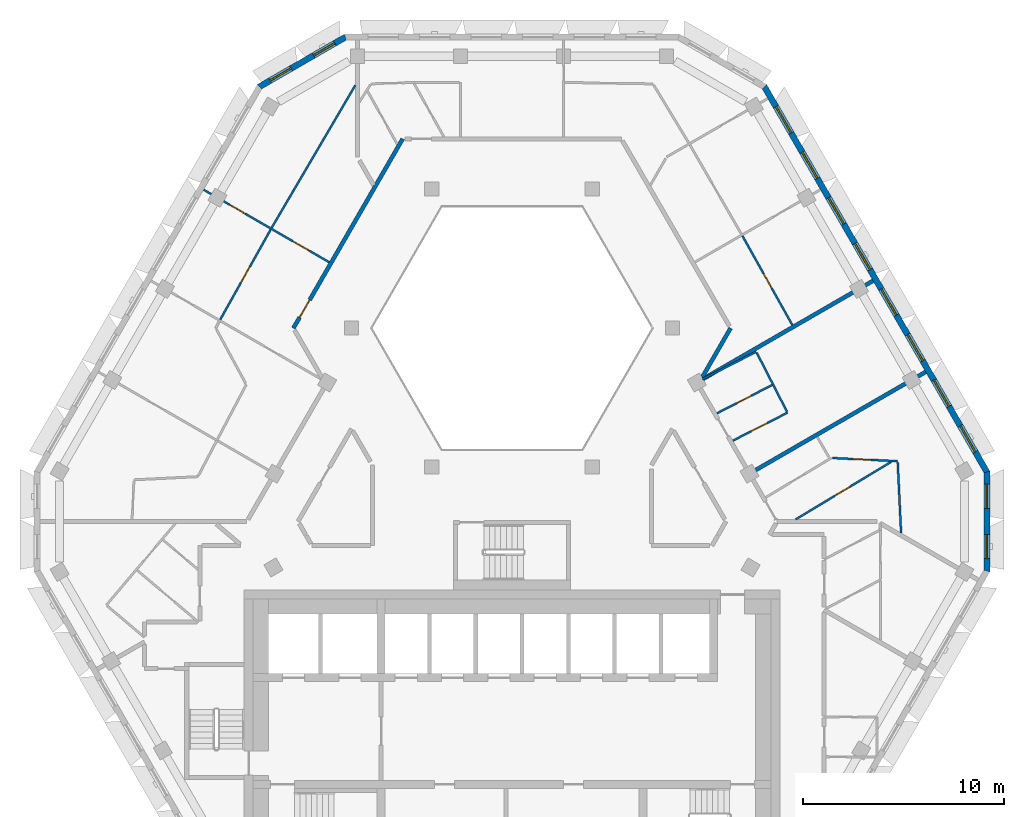
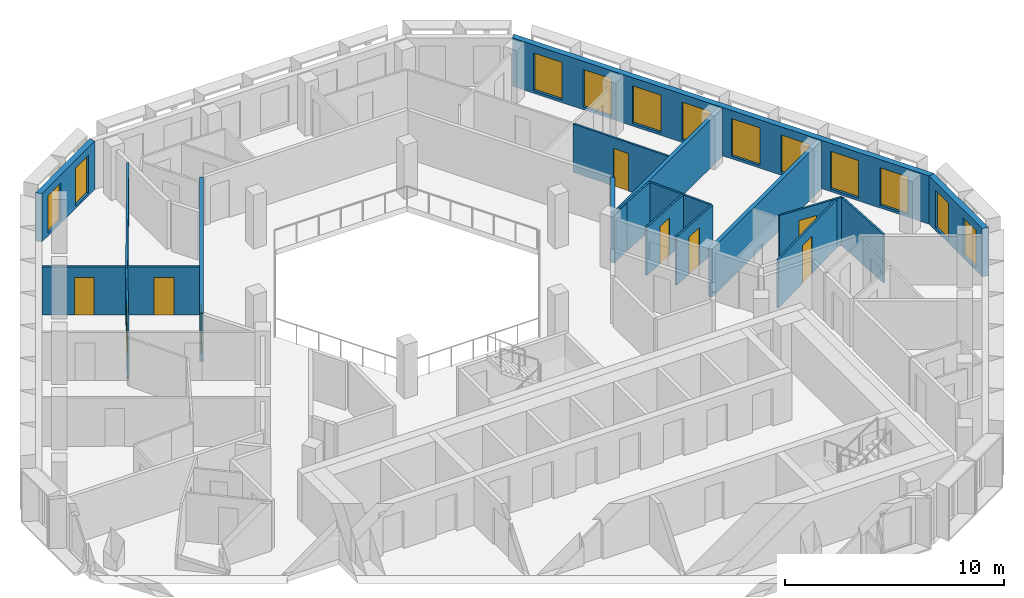
# One storey, part 7 of 16: 18 walls, 12 windows, 9 doors, 21 openings.
"""IFC4 building model written with IfcOpenShell, lengths in metres."""

from ifc_helpers import new_model, si_unit, direction, frame, frame_2d, origin, place, context, subcontext, project, spatial, polyline, rectangle, outline, extrude, material, layer, layer_set, type_object, element, fill, save


model = new_model("IFC4")

# Units and contexts
model_context = context("Model", 3, precision=1e-05, world=origin(), true_north=direction((0.0, 1.0)))
body_context = subcontext(model_context, "Body", "Model", "MODEL_VIEW")
ifc_project = project(units=[si_unit("LENGTHUNIT", "METRE"), si_unit("AREAUNIT", "SQUARE_METRE"), si_unit("VOLUMEUNIT", "CUBIC_METRE"), si_unit("PLANEANGLEUNIT", "RADIAN"), si_unit("MASSUNIT", "GRAM", prefix="KILO")], contexts=[model_context])

# Site, building, storey
site_placement = place(None, origin())
site = spatial("IfcSite", under=ifc_project, at=site_placement, CompositionType="ELEMENT")
building_placement = place(site_placement, origin())
building = spatial("IfcBuilding", under=site, at=building_placement, Name="Beryl Residences", CompositionType="ELEMENT")
storey_placement = place(building_placement, frame((0.0, 0.0, 238.800048828125)))
storey = spatial("IfcBuildingStorey", under=building, at=storey_placement, Name="L74", CompositionType="ELEMENT", Elevation=238.800048828125)

# Wall, openings, windows
ifc_material_1 = material(Name="Composite metal panel with mineral wool insulation")
ifc_layer_1 = layer(ifc_material_1, 0.300048828125)
ifc_layer_set_1 = layer_set([ifc_layer_1], Name="ES1 pale metal composite panel wall 300 mm")
wall_type_1 = type_object("IfcWallType", Name="ES1 pale metal composite panel wall 300 mm", PredefinedType="SOLIDWALL", material=ifc_layer_set_1)
wall_1_placement = place(storey_placement, frame((-8.239013671875, 22.469970703125, 0.0), z_axis=(0.0, 0.0, 1.0), x_axis=(-0.866022959057, -0.500004234368, 0.0)))
wall_1 = element("IfcWall", 1, at=wall_1_placement, inside=storey, type_object=wall_type_1, Name="ES1 external wall L74 N-NW", PredefinedType="SOLIDWALL", context=body_context, shape_type="SweptSolid", body=[
    extrude(outline(polyline([(0.0, -0.14990234375), (5.0, -0.14990234375), (4.919677734375, 0.14990234375), (0.080322265625, 0.14990234375), (0.0, -0.14990234375)])), origin(), (0.0, 0.0, 1.0), 2.699951171875),
])
opening_1_placement = place(wall_1_placement, frame((0.64990234375, 0.0, 0.14990234375)))
opening_1 = element("IfcOpeningElement", 2, at=opening_1_placement, cuts=wall_1, Name="Opening W2", PredefinedType="OPENING", context=body_context, shape_type="SweptSolid", body=[
    extrude(rectangle(XDim=1.199951171875, YDim=2.10009765625, at=frame_2d((0.60009765625, 1.050048828125))), frame((0.0, 0.159912109375, 0.0), z_axis=(0.0, -1.0, 0.0), x_axis=(1.0, 0.0, 0.0)), (0.0, 0.0, 1.0), 0.320068359375),
])
opening_2_placement = place(wall_1_placement, frame((3.14892578125, 0.0, 0.14990234375)))
opening_2 = element("IfcOpeningElement", 3, at=opening_2_placement, cuts=wall_1, Name="Opening W2", PredefinedType="OPENING", context=body_context, shape_type="SweptSolid", body=[
    extrude(rectangle(XDim=1.199951171875, YDim=2.10009765625, at=frame_2d((0.60009765625, 1.050048828125))), frame((0.0, 0.159912109375, 0.0), z_axis=(0.0, -1.0, 0.0), x_axis=(1.0, 0.0, 0.0)), (0.0, 0.0, 1.0), 0.320068359375),
])
ifc_material_2 = material(Name="Aluminium and clear glass", Category="aluminium")
window_type_1 = type_object("IfcWindowType", Name="W2 chamfer window 1200 x 2100 mm", PartitioningType="SINGLE_PANEL", PredefinedType="WINDOW", material=ifc_material_2)
window_1_placement = place(opening_1_placement, origin())
window_1 = element("IfcWindow", 4, at=window_1_placement, inside=storey, type_object=window_type_1, Name="W2 window L74 N-NW 1", OverallHeight=2.10009765625, OverallWidth=1.199951171875, PartitioningType="SINGLE_PANEL", PredefinedType="WINDOW", context=body_context, shape_type="SweptSolid", body=[
    extrude(rectangle(XDim=1.199951171875, YDim=2.10009765625, at=frame_2d((0.60009765625, 1.050048828125))), frame((0.0, 0.030029296875, 0.0), z_axis=(0.0, -1.0, 0.0), x_axis=(1.0, 0.0, 0.0)), (0.0, 0.0, 1.0), 0.06005859375),
])
fill(opening_1, window_1)
window_2_placement = place(opening_2_placement, origin())
window_2 = element("IfcWindow", 5, at=window_2_placement, inside=storey, type_object=window_type_1, Name="W2 window L74 N-NW 2", OverallHeight=2.10009765625, OverallWidth=1.199951171875, PartitioningType="SINGLE_PANEL", PredefinedType="WINDOW", context=body_context, shape_type="SweptSolid", body=[
    extrude(rectangle(XDim=1.199951171875, YDim=2.10009765625, at=frame_2d((0.60009765625, 1.050048828125))), frame((0.0, 0.030029296875, 0.0), z_axis=(0.0, -1.0, 0.0), x_axis=(1.0, 0.0, 0.0)), (0.0, 0.0, 1.0), 0.06005859375),
])
fill(opening_2, window_2)

wall_2_placement = place(storey_placement, frame((23.5791015625, -4.10009765625, 0.0), z_axis=(0.0, 0.0, 1.0), x_axis=(0.0, 1.0, 0.0)))
wall_2 = element("IfcWall", 6, at=wall_2_placement, inside=storey, type_object=wall_type_1, Name="ES1 external wall L74 SE-NE", PredefinedType="SOLIDWALL", context=body_context, shape_type="SweptSolid", body=[
    extrude(outline(polyline([(0.0, -0.14990234375), (5.0, -0.14990234375), (4.919677734375, 0.14990234375), (0.080322265625, 0.14990234375), (0.0, -0.14990234375)])), origin(), (0.0, 0.0, 1.0), 2.699951171875),
])
opening_3_placement = place(wall_2_placement, frame((0.64990234375, 0.0, 0.14990234375)))
opening_3 = element("IfcOpeningElement", 7, at=opening_3_placement, cuts=wall_2, Name="Opening W2", PredefinedType="OPENING", context=body_context, shape_type="SweptSolid", body=[
    extrude(rectangle(XDim=1.199951171875, YDim=2.10009765625, at=frame_2d((0.60009765625, 1.050048828125))), frame((0.0, 0.159912109375, 0.0), z_axis=(0.0, -1.0, 0.0), x_axis=(1.0, 0.0, 0.0)), (0.0, 0.0, 1.0), 0.320068359375),
])
opening_4_placement = place(wall_2_placement, frame((3.14990234375, 0.0, 0.14990234375)))
opening_4 = element("IfcOpeningElement", 8, at=opening_4_placement, cuts=wall_2, Name="Opening W2", PredefinedType="OPENING", context=body_context, shape_type="SweptSolid", body=[
    extrude(rectangle(XDim=1.199951171875, YDim=2.10009765625, at=frame_2d((0.60009765625, 1.050048828125))), frame((0.0, 0.159912109375, 0.0), z_axis=(0.0, -1.0, 0.0), x_axis=(1.0, 0.0, 0.0)), (0.0, 0.0, 1.0), 0.320068359375),
])
window_3_placement = place(opening_3_placement, origin())
window_3 = element("IfcWindow", 9, at=window_3_placement, inside=storey, type_object=window_type_1, Name="W2 window L74 SE-NE 1", OverallHeight=2.10009765625, OverallWidth=1.199951171875, PartitioningType="SINGLE_PANEL", PredefinedType="WINDOW", context=body_context, shape_type="SweptSolid", body=[
    extrude(rectangle(XDim=1.199951171875, YDim=2.10009765625, at=frame_2d((0.60009765625, 1.050048828125))), frame((0.0, 0.030029296875, 0.0), z_axis=(0.0, -1.0, 0.0), x_axis=(1.0, 0.0, 0.0)), (0.0, 0.0, 1.0), 0.06005859375),
])
fill(opening_3, window_3)
window_4_placement = place(opening_4_placement, origin())
window_4 = element("IfcWindow", 10, at=window_4_placement, inside=storey, type_object=window_type_1, Name="W2 window L74 SE-NE 2", OverallHeight=2.10009765625, OverallWidth=1.199951171875, PartitioningType="SINGLE_PANEL", PredefinedType="WINDOW", context=body_context, shape_type="SweptSolid", body=[
    extrude(rectangle(XDim=1.199951171875, YDim=2.10009765625, at=frame_2d((0.60009765625, 1.050048828125))), frame((0.0, 0.030029296875, 0.0), z_axis=(0.0, -1.0, 0.0), x_axis=(1.0, 0.0, 0.0)), (0.0, 0.0, 1.0), 0.06005859375),
])
fill(opening_4, window_4)

wall_3_placement = place(storey_placement, frame((23.59912109375, 0.824951171875, 0.0), z_axis=(0.0, 0.0, 1.0), x_axis=(-0.500003656944, 0.866023292436, 0.0)))
wall_3 = element("IfcWall", 11, at=wall_3_placement, inside=storey, type_object=wall_type_1, Name="ES1 external wall L74 NE", PredefinedType="SOLIDWALL", context=body_context, shape_type="SweptSolid", body=[
    extrude(outline(polyline([(0.0, -0.14990234375), (22.170166015625, -0.14990234375), (22.08984375, 0.14990234375), (0.080322265625, 0.14990234375), (0.0, -0.14990234375)])), origin(), (0.0, 0.0, 1.0), 2.699951171875),
])
opening_5_placement = place(wall_3_placement, frame((1.19091796875, 0.0, 0.14990234375)))
opening_5 = element("IfcOpeningElement", 12, at=opening_5_placement, cuts=wall_3, Name="Opening W1", PredefinedType="OPENING", context=body_context, shape_type="SweptSolid", body=[
    extrude(rectangle(XDim=1.5, YDim=2.10009765625, at=frame_2d((0.75, 1.050048828125))), frame((0.0, 0.159912109375, 0.0), z_axis=(0.0, -1.0, 0.0), x_axis=(1.0, 0.0, 0.0)), (0.0, 0.0, 1.0), 0.320068359375),
])
opening_6_placement = place(wall_3_placement, frame((3.803955078125, 0.0, 0.14990234375)))
opening_6 = element("IfcOpeningElement", 13, at=opening_6_placement, cuts=wall_3, Name="Opening W1", PredefinedType="OPENING", context=body_context, shape_type="SweptSolid", body=[
    extrude(rectangle(XDim=1.5, YDim=2.10009765625, at=frame_2d((0.75, 1.050048828125))), frame((0.0, 0.159912109375, 0.0), z_axis=(0.0, -1.0, 0.0), x_axis=(1.0, 0.0, 0.0)), (0.0, 0.0, 1.0), 0.320068359375),
])
opening_7_placement = place(wall_3_placement, frame((6.4169921875, 0.0, 0.14990234375)))
opening_7 = element("IfcOpeningElement", 14, at=opening_7_placement, cuts=wall_3, Name="Opening W1", PredefinedType="OPENING", context=body_context, shape_type="SweptSolid", body=[
    extrude(rectangle(XDim=1.5, YDim=2.10009765625, at=frame_2d((0.75, 1.050048828125))), frame((0.0, 0.159912109375, 0.0), z_axis=(0.0, -1.0, 0.0), x_axis=(1.0, 0.0, 0.0)), (0.0, 0.0, 1.0), 0.320068359375),
])
opening_8_placement = place(wall_3_placement, frame((9.029052734375, 0.0, 0.14990234375)))
opening_8 = element("IfcOpeningElement", 15, at=opening_8_placement, cuts=wall_3, Name="Opening W1", PredefinedType="OPENING", context=body_context, shape_type="SweptSolid", body=[
    extrude(rectangle(XDim=1.5, YDim=2.10009765625, at=frame_2d((0.75, 1.050048828125))), frame((0.0, 0.159912109375, 0.0), z_axis=(0.0, -1.0, 0.0), x_axis=(1.0, 0.0, 0.0)), (0.0, 0.0, 1.0), 0.320068359375),
])
opening_9_placement = place(wall_3_placement, frame((11.64111328125, 0.0, 0.14990234375)))
opening_9 = element("IfcOpeningElement", 16, at=opening_9_placement, cuts=wall_3, Name="Opening W1", PredefinedType="OPENING", context=body_context, shape_type="SweptSolid", body=[
    extrude(rectangle(XDim=1.5, YDim=2.10009765625, at=frame_2d((0.75, 1.050048828125))), frame((0.0, 0.159912109375, 0.0), z_axis=(0.0, -1.0, 0.0), x_axis=(1.0, 0.0, 0.0)), (0.0, 0.0, 1.0), 0.320068359375),
])
opening_10_placement = place(wall_3_placement, frame((14.25390625, 0.0, 0.14990234375)))
opening_10 = element("IfcOpeningElement", 17, at=opening_10_placement, cuts=wall_3, Name="Opening W1", PredefinedType="OPENING", context=body_context, shape_type="SweptSolid", body=[
    extrude(rectangle(XDim=1.5, YDim=2.10009765625, at=frame_2d((0.75, 1.050048828125))), frame((0.0, 0.159912109375, 0.0), z_axis=(0.0, -1.0, 0.0), x_axis=(1.0, 0.0, 0.0)), (0.0, 0.0, 1.0), 0.320068359375),
])
opening_11_placement = place(wall_3_placement, frame((16.865966796875, 0.0, 0.14990234375)))
opening_11 = element("IfcOpeningElement", 18, at=opening_11_placement, cuts=wall_3, Name="Opening W1", PredefinedType="OPENING", context=body_context, shape_type="SweptSolid", body=[
    extrude(rectangle(XDim=1.5, YDim=2.10009765625, at=frame_2d((0.75, 1.050048828125))), frame((0.0, 0.159912109375, 0.0), z_axis=(0.0, -1.0, 0.0), x_axis=(1.0, 0.0, 0.0)), (0.0, 0.0, 1.0), 0.320068359375),
])
opening_12_placement = place(wall_3_placement, frame((19.47900390625, 0.0, 0.14990234375)))
opening_12 = element("IfcOpeningElement", 19, at=opening_12_placement, cuts=wall_3, Name="Opening W1", PredefinedType="OPENING", context=body_context, shape_type="SweptSolid", body=[
    extrude(rectangle(XDim=1.5, YDim=2.10009765625, at=frame_2d((0.75, 1.050048828125))), frame((0.0, 0.159912109375, 0.0), z_axis=(0.0, -1.0, 0.0), x_axis=(1.0, 0.0, 0.0)), (0.0, 0.0, 1.0), 0.320068359375),
])
ifc_material_3 = material(Name="Aluminium and clear glass", Category="aluminium")
window_type_2 = type_object("IfcWindowType", Name="W1 cell window 1500 x 2100 mm", PartitioningType="SINGLE_PANEL", PredefinedType="WINDOW", material=ifc_material_3)
window_5_placement = place(opening_5_placement, origin())
window_5 = element("IfcWindow", 20, at=window_5_placement, inside=storey, type_object=window_type_2, Name="W1 window L74 NE 1", OverallHeight=2.10009765625, OverallWidth=1.5, PartitioningType="SINGLE_PANEL", PredefinedType="WINDOW", context=body_context, shape_type="SweptSolid", body=[
    extrude(rectangle(XDim=1.5, YDim=2.10009765625, at=frame_2d((0.75, 1.050048828125))), frame((0.0, 0.030029296875, 0.0), z_axis=(0.0, -1.0, 0.0), x_axis=(1.0, 0.0, 0.0)), (0.0, 0.0, 1.0), 0.06005859375),
])
fill(opening_5, window_5)
window_6_placement = place(opening_6_placement, origin())
window_6 = element("IfcWindow", 21, at=window_6_placement, inside=storey, type_object=window_type_2, Name="W1 window L74 NE 2", OverallHeight=2.10009765625, OverallWidth=1.5, PartitioningType="SINGLE_PANEL", PredefinedType="WINDOW", context=body_context, shape_type="SweptSolid", body=[
    extrude(rectangle(XDim=1.5, YDim=2.10009765625, at=frame_2d((0.75, 1.050048828125))), frame((0.0, 0.030029296875, 0.0), z_axis=(0.0, -1.0, 0.0), x_axis=(1.0, 0.0, 0.0)), (0.0, 0.0, 1.0), 0.06005859375),
])
fill(opening_6, window_6)
window_7_placement = place(opening_7_placement, origin())
window_7 = element("IfcWindow", 22, at=window_7_placement, inside=storey, type_object=window_type_2, Name="W1 window L74 NE 3", OverallHeight=2.10009765625, OverallWidth=1.5, PartitioningType="SINGLE_PANEL", PredefinedType="WINDOW", context=body_context, shape_type="SweptSolid", body=[
    extrude(rectangle(XDim=1.5, YDim=2.10009765625, at=frame_2d((0.75, 1.050048828125))), frame((0.0, 0.030029296875, 0.0), z_axis=(0.0, -1.0, 0.0), x_axis=(1.0, 0.0, 0.0)), (0.0, 0.0, 1.0), 0.06005859375),
])
fill(opening_7, window_7)
window_8_placement = place(opening_8_placement, origin())
window_8 = element("IfcWindow", 23, at=window_8_placement, inside=storey, type_object=window_type_2, Name="W1 window L74 NE 4", OverallHeight=2.10009765625, OverallWidth=1.5, PartitioningType="SINGLE_PANEL", PredefinedType="WINDOW", context=body_context, shape_type="SweptSolid", body=[
    extrude(rectangle(XDim=1.5, YDim=2.10009765625, at=frame_2d((0.75, 1.050048828125))), frame((0.0, 0.030029296875, 0.0), z_axis=(0.0, -1.0, 0.0), x_axis=(1.0, 0.0, 0.0)), (0.0, 0.0, 1.0), 0.06005859375),
])
fill(opening_8, window_8)
window_9_placement = place(opening_9_placement, origin())
window_9 = element("IfcWindow", 24, at=window_9_placement, inside=storey, type_object=window_type_2, Name="W1 window L74 NE 5", OverallHeight=2.10009765625, OverallWidth=1.5, PartitioningType="SINGLE_PANEL", PredefinedType="WINDOW", context=body_context, shape_type="SweptSolid", body=[
    extrude(rectangle(XDim=1.5, YDim=2.10009765625, at=frame_2d((0.75, 1.050048828125))), frame((0.0, 0.030029296875, 0.0), z_axis=(0.0, -1.0, 0.0), x_axis=(1.0, 0.0, 0.0)), (0.0, 0.0, 1.0), 0.06005859375),
])
fill(opening_9, window_9)
window_10_placement = place(opening_10_placement, origin())
window_10 = element("IfcWindow", 25, at=window_10_placement, inside=storey, type_object=window_type_2, Name="W1 window L74 NE 6", OverallHeight=2.10009765625, OverallWidth=1.5, PartitioningType="SINGLE_PANEL", PredefinedType="WINDOW", context=body_context, shape_type="SweptSolid", body=[
    extrude(rectangle(XDim=1.5, YDim=2.10009765625, at=frame_2d((0.75, 1.050048828125))), frame((0.0, 0.030029296875, 0.0), z_axis=(0.0, -1.0, 0.0), x_axis=(1.0, 0.0, 0.0)), (0.0, 0.0, 1.0), 0.06005859375),
])
fill(opening_10, window_10)
window_11_placement = place(opening_11_placement, origin())
window_11 = element("IfcWindow", 26, at=window_11_placement, inside=storey, type_object=window_type_2, Name="W1 window L74 NE 7", OverallHeight=2.10009765625, OverallWidth=1.5, PartitioningType="SINGLE_PANEL", PredefinedType="WINDOW", context=body_context, shape_type="SweptSolid", body=[
    extrude(rectangle(XDim=1.5, YDim=2.10009765625, at=frame_2d((0.75, 1.050048828125))), frame((0.0, 0.030029296875, 0.0), z_axis=(0.0, -1.0, 0.0), x_axis=(1.0, 0.0, 0.0)), (0.0, 0.0, 1.0), 0.06005859375),
])
fill(opening_11, window_11)
window_12_placement = place(opening_12_placement, origin())
window_12 = element("IfcWindow", 27, at=window_12_placement, inside=storey, type_object=window_type_2, Name="W1 window L74 NE 8", OverallHeight=2.10009765625, OverallWidth=1.5, PartitioningType="SINGLE_PANEL", PredefinedType="WINDOW", context=body_context, shape_type="SweptSolid", body=[
    extrude(rectangle(XDim=1.5, YDim=2.10009765625, at=frame_2d((0.75, 1.050048828125))), frame((0.0, 0.030029296875, 0.0), z_axis=(0.0, -1.0, 0.0), x_axis=(1.0, 0.0, 0.0)), (0.0, 0.0, 1.0), 0.06005859375),
])
fill(opening_12, window_12)

# Wall, opening, door
ifc_material_4 = material(Name="Gypsum board partition on steel studs", Category="steel")
ifc_layer_2 = layer(ifc_material_4, 0.10009765625)
ifc_layer_set_2 = layer_set([ifc_layer_2], Name="PT1 partition 100 mm gypsum board on steel studs")
wall_type_2 = type_object("IfcWallType", Name="PT1 partition 100 mm gypsum board on steel studs", PredefinedType="PARTITIONING", material=ifc_layer_set_2)
wall_4_placement = place(storey_placement, frame((11.44091796875, 12.58203125, 0.0), z_axis=(0.0, 0.0, 1.0), x_axis=(0.488568218554, -0.872525699231, 0.0)))
wall_4 = element("IfcWall", 28, at=wall_4_placement, inside=storey, type_object=wall_type_2, Name="Wall PT1 L74 006", PredefinedType="PARTITIONING", context=body_context, shape_type="SweptSolid", body=[
    extrude(rectangle(XDim=5.075927734375, YDim=0.10009765625, at=frame_2d((2.5380859375, 0.0))), origin(), (0.0, 0.0, 1.0), 2.699951171875),
])
opening_13_placement = place(wall_4_placement, frame((2.1630859375, 0.0, 0.0)))
opening_13 = element("IfcOpeningElement", 29, at=opening_13_placement, cuts=wall_4, Name="Opening D2010", PredefinedType="OPENING", context=body_context, shape_type="SweptSolid", body=[
    extrude(rectangle(XDim=0.800048828125, YDim=2.10009765625, at=frame_2d((0.39990234375, 1.050048828125))), frame((0.0, 0.06005859375, 0.0), z_axis=(0.0, -1.0, 0.0), x_axis=(1.0, 0.0, 0.0)), (0.0, 0.0, 1.0), 0.1201171875),
])
ifc_material_5 = material(Name="Timber door leaf", Category="wood")
door_type_1 = type_object("IfcDoorType", Name="D3 bathroom door 800 x 2100 mm", OperationType="SINGLE_SWING_LEFT", PredefinedType="DOOR", material=ifc_material_5)
door_1_placement = place(opening_13_placement, origin())
door_1 = element("IfcDoor", 30, at=door_1_placement, inside=storey, type_object=door_type_1, Name="Door D2010 L74 001", OperationType="SINGLE_SWING_RIGHT", OverallHeight=2.10009765625, OverallWidth=0.800048828125, PredefinedType="DOOR", context=body_context, shape_type="SweptSolid", body=[
    extrude(rectangle(XDim=0.800048828125, YDim=2.10009765625, at=frame_2d((0.39990234375, 1.050048828125))), frame((0.0, 0.02490234375, 0.0), z_axis=(0.0, -1.0, 0.0), x_axis=(1.0, 0.0, 0.0)), (0.0, 0.0, 1.0), 0.050048828125),
])
fill(opening_13, door_1)

# Walls
wall_5_placement = place(storey_placement, frame((12.14990234375, 6.783935546875, 0.0), z_axis=(0.0, 0.0, 1.0), x_axis=(0.456339188969, -0.889805902774, 0.0)))
element("IfcWall", 31, at=wall_5_placement, inside=storey, type_object=wall_type_2, Name="Wall PT1 L74 010", PredefinedType="PARTITIONING", context=body_context, shape_type="SweptSolid", body=[
    extrude(rectangle(XDim=3.29833984375, YDim=0.10009765625, at=frame_2d((1.649169921875, 0.0))), origin(), (0.0, 0.0, 1.0), 2.699951171875),
])
wall_6_placement = place(storey_placement, frame((19.15087890625, 1.343017578125, 0.0), z_axis=(0.0, 0.0, 1.0), x_axis=(0.047509130714, -0.998870803707, 0.0)))
element("IfcWall", 32, at=wall_6_placement, inside=storey, type_object=wall_type_2, Name="Wall PT1 L74 012", PredefinedType="PARTITIONING", context=body_context, shape_type="SweptSolid", body=[
    extrude(rectangle(XDim=3.52001953125, YDim=0.10009765625, at=frame_2d((1.760009765625, 0.0))), origin(), (0.0, 0.0, 1.0), 2.699951171875),
])

# Wall, opening, door
wall_7_placement = place(storey_placement, frame((15.908935546875, 1.552001953125, 0.0), z_axis=(0.0, 0.0, 1.0), x_axis=(0.998799003463, -0.048995414909, 0.0)))
wall_7 = element("IfcWall", 33, at=wall_7_placement, inside=storey, type_object=wall_type_2, Name="Wall PT1 L74 015", PredefinedType="PARTITIONING", context=body_context, shape_type="SweptSolid", body=[
    extrude(rectangle(XDim=3.243896484375, YDim=0.10009765625, at=frame_2d((1.6220703125, 0.0))), origin(), (0.0, 0.0, 1.0), 2.699951171875),
])
opening_14_placement = place(wall_7_placement, frame((1.012939453125, 0.0, 0.0)))
opening_14 = element("IfcOpeningElement", 34, at=opening_14_placement, cuts=wall_7, Name="Opening D2034", PredefinedType="OPENING", context=body_context, shape_type="SweptSolid", body=[
    extrude(rectangle(XDim=0.89990234375, YDim=2.10009765625, at=frame_2d((0.449951171875, 1.050048828125))), frame((0.0, 0.06005859375, 0.0), z_axis=(0.0, -1.0, 0.0), x_axis=(1.0, 0.0, 0.0)), (0.0, 0.0, 1.0), 0.1201171875),
])
ifc_material_6 = material(Name="Timber door leaf", Category="wood")
door_type_2 = type_object("IfcDoorType", Name="D2 room door 900 x 2100 mm", OperationType="SINGLE_SWING_LEFT", PredefinedType="DOOR", material=ifc_material_6)
door_2_placement = place(opening_14_placement, origin())
door_2 = element("IfcDoor", 35, at=door_2_placement, inside=storey, type_object=door_type_2, Name="Door D2034 L74 001", OperationType="SINGLE_SWING_RIGHT", OverallHeight=2.10009765625, OverallWidth=0.89990234375, PredefinedType="DOOR", context=body_context, shape_type="SweptSolid", body=[
    extrude(rectangle(XDim=0.89990234375, YDim=2.10009765625, at=frame_2d((0.449951171875, 1.050048828125))), frame((0.0, 0.02490234375, 0.0), z_axis=(0.0, -1.0, 0.0), x_axis=(1.0, 0.0, 0.0)), (0.0, 0.0, 1.0), 0.050048828125),
])
fill(opening_14, door_2)

# Wall, openings, doors
wall_8_placement = place(storey_placement, frame((-15.31396484375, 14.875, 0.0), z_axis=(0.0, 0.0, 1.0), x_axis=(0.866001485781, -0.500041424909, 0.0)))
wall_8 = element("IfcWall", 36, at=wall_8_placement, inside=storey, type_object=wall_type_2, Name="Wall PT1 L74 018", PredefinedType="PARTITIONING", context=body_context, shape_type="SweptSolid", body=[
    extrude(rectangle(XDim=7.19970703125, YDim=0.10009765625, at=frame_2d((3.599853515625, 0.0))), origin(), (0.0, 0.0, 1.0), 2.699951171875),
])
opening_15_placement = place(wall_8_placement, frame((5.136962890625, 0.0, 0.0)))
opening_15 = element("IfcOpeningElement", 37, at=opening_15_placement, cuts=wall_8, Name="Opening D2014", PredefinedType="OPENING", context=body_context, shape_type="SweptSolid", body=[
    extrude(rectangle(XDim=0.89990234375, YDim=2.10009765625, at=frame_2d((0.449951171875, 1.050048828125))), frame((0.0, 0.06005859375, 0.0), z_axis=(0.0, -1.0, 0.0), x_axis=(1.0, 0.0, 0.0)), (0.0, 0.0, 1.0), 0.1201171875),
])
opening_16_placement = place(wall_8_placement, frame((1.487060546875, 0.0, 0.0)))
opening_16 = element("IfcOpeningElement", 38, at=opening_16_placement, cuts=wall_8, Name="Opening D2016", PredefinedType="OPENING", context=body_context, shape_type="SweptSolid", body=[
    extrude(rectangle(XDim=0.89990234375, YDim=2.10009765625, at=frame_2d((0.449951171875, 1.050048828125))), frame((0.0, 0.06005859375, 0.0), z_axis=(0.0, -1.0, 0.0), x_axis=(1.0, 0.0, 0.0)), (0.0, 0.0, 1.0), 0.1201171875),
])
door_3_placement = place(opening_15_placement, origin())
door_3 = element("IfcDoor", 39, at=door_3_placement, inside=storey, type_object=door_type_2, Name="Door D2014 L74 001", OperationType="SINGLE_SWING_RIGHT", OverallHeight=2.10009765625, OverallWidth=0.89990234375, PredefinedType="DOOR", context=body_context, shape_type="SweptSolid", body=[
    extrude(rectangle(XDim=0.89990234375, YDim=2.10009765625, at=frame_2d((0.449951171875, 1.050048828125))), frame((0.0, 0.02490234375, 0.0), z_axis=(0.0, -1.0, 0.0), x_axis=(1.0, 0.0, 0.0)), (0.0, 0.0, 1.0), 0.050048828125),
])
fill(opening_15, door_3)
door_4_placement = place(opening_16_placement, origin())
door_4 = element("IfcDoor", 40, at=door_4_placement, inside=storey, type_object=door_type_2, Name="Door D2016 L74 001", OperationType="SINGLE_SWING_RIGHT", OverallHeight=2.10009765625, OverallWidth=0.89990234375, PredefinedType="DOOR", context=body_context, shape_type="SweptSolid", body=[
    extrude(rectangle(XDim=0.89990234375, YDim=2.10009765625, at=frame_2d((0.449951171875, 1.050048828125))), frame((0.0, 0.02490234375, 0.0), z_axis=(0.0, -1.0, 0.0), x_axis=(1.0, 0.0, 0.0)), (0.0, 0.0, 1.0), 0.050048828125),
])
fill(opening_16, door_4)

# Wall
wall_9_placement = place(storey_placement, frame((-11.93408203125, 12.98095703125, 0.0), z_axis=(0.0, 0.0, 1.0), x_axis=(0.506072703404, 0.862490822484, 0.0)))
element("IfcWall", 41, at=wall_9_placement, inside=storey, type_object=wall_type_2, Name="Wall PT1 L74 025", PredefinedType="PARTITIONING", context=body_context, shape_type="SweptSolid", body=[
    extrude(rectangle(XDim=8.212158203125, YDim=0.10009765625, at=frame_2d((4.10595703125, 0.0))), origin(), (0.0, 0.0, 1.0), 2.699951171875),
])

# Wall, opening, door
wall_10_placement = place(storey_placement, frame((-14.488037109375, 8.423095703125, 0.0), z_axis=(0.0, 0.0, 1.0), x_axis=(0.488810791055, 0.872389827169, 0.0)))
wall_10 = element("IfcWall", 42, at=wall_10_placement, inside=storey, type_object=wall_type_2, Name="Wall PT1 L74 028", PredefinedType="PARTITIONING", context=body_context, shape_type="SweptSolid", body=[
    extrude(rectangle(XDim=5.125, YDim=0.10009765625, at=frame_2d((2.5625, 0.0))), origin(), (0.0, 0.0, 1.0), 2.699951171875),
])
opening_17_placement = place(wall_10_placement, frame((2.113037109375, 0.0, 0.0)))
opening_17 = element("IfcOpeningElement", 43, at=opening_17_placement, cuts=wall_10, Name="Opening D2013", PredefinedType="OPENING", context=body_context, shape_type="SweptSolid", body=[
    extrude(rectangle(XDim=0.89990234375, YDim=2.10009765625, at=frame_2d((0.449951171875, 1.050048828125))), frame((0.0, 0.06005859375, 0.0), z_axis=(0.0, -1.0, 0.0), x_axis=(1.0, 0.0, 0.0)), (0.0, 0.0, 1.0), 0.1201171875),
])
door_5_placement = place(opening_17_placement, origin())
door_5 = element("IfcDoor", 44, at=door_5_placement, inside=storey, type_object=door_type_2, Name="Door D2013 L74 001", OperationType="SINGLE_SWING_LEFT", OverallHeight=2.10009765625, OverallWidth=0.89990234375, PredefinedType="DOOR", context=body_context, shape_type="SweptSolid", body=[
    extrude(rectangle(XDim=0.89990234375, YDim=2.10009765625, at=frame_2d((0.449951171875, 1.050048828125))), frame((0.0, 0.02490234375, 0.0), z_axis=(0.0, -1.0, 0.0), x_axis=(1.0, 0.0, 0.0)), (0.0, 0.0, 1.0), 0.050048828125),
])
fill(opening_17, door_5)

wall_11_placement = place(storey_placement, frame((10.177978515625, 3.77197265625, 0.0), z_axis=(0.0, 0.0, 1.0), x_axis=(0.889829844516, 0.456292502467, 0.0)))
wall_11 = element("IfcWall", 45, at=wall_11_placement, inside=storey, type_object=wall_type_2, Name="Wall PT1 L74 036", PredefinedType="PARTITIONING", context=body_context, shape_type="SweptSolid", body=[
    extrude(rectangle(XDim=3.079345703125, YDim=0.10009765625, at=frame_2d((1.53955078125, 0.0))), origin(), (0.0, 0.0, 1.0), 2.699951171875),
])
opening_18_placement = place(wall_11_placement, frame((1.114990234375, 0.0, 0.0)))
opening_18 = element("IfcOpeningElement", 46, at=opening_18_placement, cuts=wall_11, Name="Opening D2037", PredefinedType="OPENING", context=body_context, shape_type="SweptSolid", body=[
    extrude(rectangle(XDim=0.800048828125, YDim=2.10009765625, at=frame_2d((0.39990234375, 1.050048828125))), frame((0.0, 0.06005859375, 0.0), z_axis=(0.0, -1.0, 0.0), x_axis=(1.0, 0.0, 0.0)), (0.0, 0.0, 1.0), 0.1201171875),
])
door_6_placement = place(opening_18_placement, origin())
door_6 = element("IfcDoor", 47, at=door_6_placement, inside=storey, type_object=door_type_1, Name="Door D2037 L74 001", OperationType="SINGLE_SWING_LEFT", OverallHeight=2.10009765625, OverallWidth=0.800048828125, PredefinedType="DOOR", context=body_context, shape_type="SweptSolid", body=[
    extrude(rectangle(XDim=0.800048828125, YDim=2.10009765625, at=frame_2d((0.39990234375, 1.050048828125))), frame((0.0, 0.02490234375, 0.0), z_axis=(0.0, -1.0, 0.0), x_axis=(1.0, 0.0, 0.0)), (0.0, 0.0, 1.0), 0.050048828125),
])
fill(opening_18, door_6)

wall_12_placement = place(storey_placement, frame((10.962890625, 2.412109375, 0.0), z_axis=(0.0, 0.0, 1.0), x_axis=(0.890014850977, 0.455931535475, 0.0)))
wall_12 = element("IfcWall", 48, at=wall_12_placement, inside=storey, type_object=wall_type_2, Name="Wall PT1 L74 037", PredefinedType="PARTITIONING", context=body_context, shape_type="SweptSolid", body=[
    extrude(rectangle(XDim=3.050537109375, YDim=0.10009765625, at=frame_2d((1.525390625, 0.0))), origin(), (0.0, 0.0, 1.0), 2.699951171875),
])
opening_19_placement = place(wall_12_placement, frame((1.02587890625, 0.0, 0.0)))
opening_19 = element("IfcOpeningElement", 49, at=opening_19_placement, cuts=wall_12, Name="Opening D2036", PredefinedType="OPENING", context=body_context, shape_type="SweptSolid", body=[
    extrude(rectangle(XDim=0.89990234375, YDim=2.10009765625, at=frame_2d((0.449951171875, 1.050048828125))), frame((0.0, 0.06005859375, 0.0), z_axis=(0.0, -1.0, 0.0), x_axis=(1.0, 0.0, 0.0)), (0.0, 0.0, 1.0), 0.1201171875),
])
door_7_placement = place(opening_19_placement, origin())
door_7 = element("IfcDoor", 50, at=door_7_placement, inside=storey, type_object=door_type_2, Name="Door D2036 L74 001", OperationType="SINGLE_SWING_RIGHT", OverallHeight=2.10009765625, OverallWidth=0.89990234375, PredefinedType="DOOR", context=body_context, shape_type="SweptSolid", body=[
    extrude(rectangle(XDim=0.89990234375, YDim=2.10009765625, at=frame_2d((0.449951171875, 1.050048828125))), frame((0.0, 0.02490234375, 0.0), z_axis=(0.0, -1.0, 0.0), x_axis=(1.0, 0.0, 0.0)), (0.0, 0.0, 1.0), 0.050048828125),
])
fill(opening_19, door_7)

# Wall
wall_13_placement = place(storey_placement, frame((9.45703125, 5.4609375, 0.0), z_axis=(0.0, 0.0, 1.0), x_axis=(0.889888641814, 0.456177821874, 0.0)))
element("IfcWall", 51, at=wall_13_placement, inside=storey, type_object=wall_type_2, Name="Wall PT1 L74 038", PredefinedType="PARTITIONING", context=body_context, shape_type="SweptSolid", body=[
    extrude(rectangle(XDim=2.999267578125, YDim=0.10009765625, at=frame_2d((1.49951171875, 0.0))), origin(), (0.0, 0.0, 1.0), 2.699951171875),
])

# Wall, opening, door
wall_14_placement = place(storey_placement, frame((14.0810546875, -1.4990234375, 0.0), z_axis=(0.0, 0.0, 1.0), x_axis=(0.85652273816, 0.516109289798, 0.0)))
wall_14 = element("IfcWall", 52, at=wall_14_placement, inside=storey, type_object=wall_type_2, Name="Wall PT1 L74 046", PredefinedType="PARTITIONING", context=body_context, shape_type="SweptSolid", body=[
    extrude(rectangle(XDim=5.537353515625, YDim=0.10009765625, at=frame_2d((2.7685546875, 0.0))), origin(), (0.0, 0.0, 1.0), 2.699951171875),
])
opening_20_placement = place(wall_14_placement, frame((2.26708984375, 0.0, 0.0)))
opening_20 = element("IfcOpeningElement", 53, at=opening_20_placement, cuts=wall_14, Name="Opening D2032", PredefinedType="OPENING", context=body_context, shape_type="SweptSolid", body=[
    extrude(rectangle(XDim=0.89990234375, YDim=2.10009765625, at=frame_2d((0.449951171875, 1.050048828125))), frame((0.0, 0.06005859375, 0.0), z_axis=(0.0, -1.0, 0.0), x_axis=(1.0, 0.0, 0.0)), (0.0, 0.0, 1.0), 0.1201171875),
])
door_8_placement = place(opening_20_placement, origin())
door_8 = element("IfcDoor", 54, at=door_8_placement, inside=storey, type_object=door_type_2, Name="Door D2032 L74 001", OperationType="SINGLE_SWING_RIGHT", OverallHeight=2.10009765625, OverallWidth=0.89990234375, PredefinedType="DOOR", context=body_context, shape_type="SweptSolid", body=[
    extrude(rectangle(XDim=0.89990234375, YDim=2.10009765625, at=frame_2d((0.449951171875, 1.050048828125))), frame((0.0, 0.02490234375, 0.0), z_axis=(0.0, -1.0, 0.0), x_axis=(1.0, 0.0, 0.0)), (0.0, 0.0, 1.0), 0.050048828125),
])
fill(opening_20, door_8)

# Walls
ifc_material_7 = material(Name="Acoustic double stud gypsum board wall")
ifc_layer_3 = layer(ifc_material_7, 0.199951171875)
ifc_layer_set_3 = layer_set([ifc_layer_3], Name="PT3 party wall 200 mm acoustic double stud")
wall_type_3 = type_object("IfcWallType", Name="PT3 party wall 200 mm acoustic double stud", PredefinedType="PARTITIONING", material=ifc_layer_set_3)
wall_15_placement = place(storey_placement, frame((11.87890625, 0.825927734375, 0.0), z_axis=(0.0, 0.0, 1.0), x_axis=(0.866065245018, 0.499930986609, 0.0)))
element("IfcWall", 55, at=wall_15_placement, inside=storey, type_object=wall_type_3, Name="Wall PT3 L74 010", PredefinedType="PARTITIONING", context=body_context, shape_type="SweptSolid", body=[
    extrude(rectangle(XDim=9.99951171875, YDim=0.199951171875, at=frame_2d((4.999755859375, 0.0))), origin(), (0.0, 0.0, 1.0), 2.699951171875),
])
wall_16_placement = place(storey_placement, frame((9.35400390625, 5.40087890625, 0.0), z_axis=(0.0, 0.0, 1.0), x_axis=(0.866018411306, 0.500012111133, 0.0)))
element("IfcWall", 56, at=wall_16_placement, inside=storey, type_object=wall_type_3, Name="Wall PT3 L74 011", PredefinedType="PARTITIONING", context=body_context, shape_type="SweptSolid", body=[
    extrude(rectangle(XDim=9.898193359375, YDim=0.199951171875, at=frame_2d((4.94921875, 0.0))), origin(), (0.0, 0.0, 1.0), 2.699951171875),
])
ifc_material_8 = material(Name="Double stud gypsum board wall")
ifc_layer_4 = layer(ifc_material_8, 0.199951171875)
ifc_layer_set_4 = layer_set([ifc_layer_4], Name="PT4 corridor wall 200 mm double stud")
wall_type_4 = type_object("IfcWallType", Name="PT4 corridor wall 200 mm double stud", PredefinedType="PARTITIONING", material=ifc_layer_set_4)
wall_17_placement = place(storey_placement, frame((9.4541015625, 5.573974609375, 0.0), z_axis=(0.0, 0.0, 1.0), x_axis=(0.499795394297, 0.86614350072, 0.0)))
element("IfcWall", 57, at=wall_17_placement, inside=storey, type_object=wall_type_4, Name="Wall PT4 L74 020", PredefinedType="PARTITIONING", context=body_context, shape_type="SweptSolid", body=[
    extrude(rectangle(XDim=2.801025390625, YDim=0.199951171875, at=frame_2d((1.400390625, 0.0))), origin(), (0.0, 0.0, 1.0), 2.699951171875),
])

# Wall, opening, door
wall_18_placement = place(storey_placement, frame((-10.85400390625, 8.0, 0.0), z_axis=(0.0, 0.0, 1.0), x_axis=(0.499997637144, 0.866026767976, 0.0)))
wall_18 = element("IfcWall", 58, at=wall_18_placement, inside=storey, type_object=wall_type_4, Name="Wall PT4 L74 026", PredefinedType="PARTITIONING", context=body_context, shape_type="SweptSolid", body=[
    extrude(rectangle(XDim=10.85400390625, YDim=0.199951171875, at=frame_2d((5.427001953125, 0.0))), origin(), (0.0, 0.0, 1.0), 2.699951171875),
])
opening_21_placement = place(wall_18_placement, frame((0.612060546875, 0.0, 0.0)))
opening_21 = element("IfcOpeningElement", 59, at=opening_21_placement, cuts=wall_18, Name="Opening D2011", PredefinedType="OPENING", context=body_context, shape_type="SweptSolid", body=[
    extrude(rectangle(XDim=1.0, YDim=2.10009765625, at=frame_2d((0.5, 1.050048828125))), frame((0.0, 0.10986328125, 0.0), z_axis=(0.0, -1.0, 0.0), x_axis=(1.0, 0.0, 0.0)), (0.0, 0.0, 1.0), 0.219970703125),
])
ifc_material_9 = material(Name="Timber door leaf", Category="wood")
door_type_3 = type_object("IfcDoorType", Name="D1 flat entrance door 1000 x 2100 mm", OperationType="SINGLE_SWING_LEFT", PredefinedType="DOOR", material=ifc_material_9)
door_9_placement = place(opening_21_placement, origin())
door_9 = element("IfcDoor", 60, at=door_9_placement, inside=storey, type_object=door_type_3, Name="Door D2011 L74 001", OperationType="SINGLE_SWING_LEFT", OverallHeight=2.10009765625, OverallWidth=1.0, PredefinedType="DOOR", context=body_context, shape_type="SweptSolid", body=[
    extrude(rectangle(XDim=1.0, YDim=2.10009765625, at=frame_2d((0.5, 1.050048828125))), frame((0.0, 0.02490234375, 0.0), z_axis=(0.0, -1.0, 0.0), x_axis=(1.0, 0.0, 0.0)), (0.0, 0.0, 1.0), 0.050048828125),
])
fill(opening_21, door_9)

save(model, "model.ifc")
